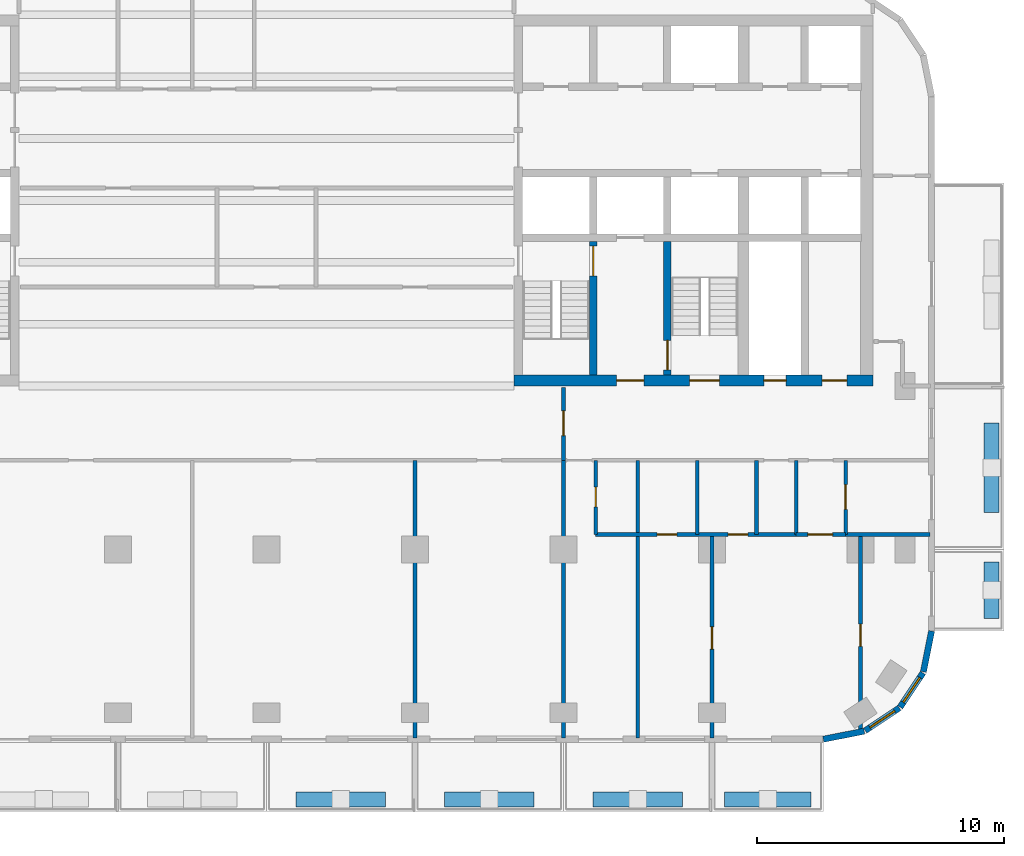
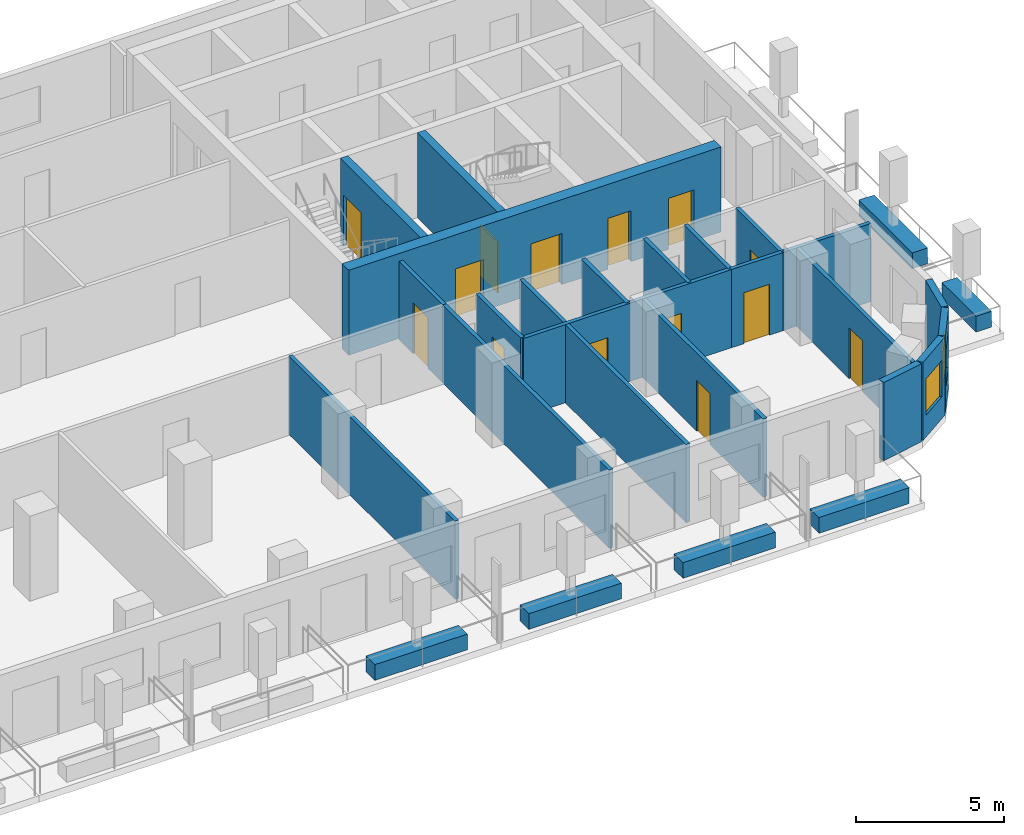
# One storey, part 5 of 11: 27 walls, 14 doors, 2 windows, 16 openings.
"""IFC4 building model written with IfcOpenShell, lengths in metres."""

from ifc_helpers import new_model, si_unit, direction, frame, frame_2d, origin, place, context, subcontext, project, spatial, rectangle, extrude, material, layer, layer_set, type_object, element, fill, save


model = new_model("IFC4")

# Units and contexts
model_context = context("Model", 3, precision=1e-05, world=origin(), true_north=direction((0.0, 1.0)))
body_context = subcontext(model_context, "Body", "Model", "MODEL_VIEW")
ifc_project = project(units=[si_unit("LENGTHUNIT", "METRE"), si_unit("AREAUNIT", "SQUARE_METRE"), si_unit("VOLUMEUNIT", "CUBIC_METRE"), si_unit("PLANEANGLEUNIT", "RADIAN"), si_unit("MASSUNIT", "GRAM", prefix="KILO")], contexts=[model_context])

# Site, building, storey
site_placement = place(None, origin())
site = spatial("IfcSite", under=ifc_project, at=site_placement, CompositionType="ELEMENT")
building_placement = place(site_placement, origin())
building = spatial("IfcBuilding", under=site, at=building_placement, Name="Torana Hotel and Residences", CompositionType="ELEMENT")
storey_placement = place(building_placement, frame((0.0, 0.0, 232.60009765625)))
storey = spatial("IfcBuildingStorey", under=building, at=storey_placement, Name="L61", CompositionType="ELEMENT", Elevation=232.60009765625)

# Wall, opening, door
ifc_material_1 = material(Name="Concrete C70/85", Category="concrete")
ifc_layer_1 = layer(ifc_material_1, 0.300048828125)
ifc_layer_set_1 = layer_set([ifc_layer_1], Name="CORE WALL 300 C70/85")
wall_type_1 = type_object("IfcWallType", Name="CORE WALL 300 C70/85", PredefinedType="SHEAR", material=ifc_layer_set_1)
wall_1_placement = place(storey_placement, frame((13.199951171875, -14.550048828125, 0.0), z_axis=(0.0, 0.0, 1.0), x_axis=(0.0, 1.0, 0.0)))
wall_1 = element("IfcWall", 1, at=wall_1_placement, inside=storey, type_object=wall_type_1, Name="Core wall E x3.05-band", PredefinedType="SHEAR", context=body_context, shape_type="SweptSolid", body=[
    extrude(rectangle(XDim=5.400146484375, YDim=0.300048828125, at=frame_2d((2.7001953125, 0.0))), origin(), (0.0, 0.0, 1.0), 3.5),
])
opening_1_placement = place(wall_1_placement, frame((4.0, 0.0, 0.0)))
opening_1 = element("IfcOpeningElement", 2, at=opening_1_placement, cuts=wall_1, Name="Opening L61-25", PredefinedType="OPENING", context=body_context, shape_type="SweptSolid", body=[
    extrude(rectangle(XDim=1.199951171875, YDim=2.10009765625, at=frame_2d((0.60009765625, 1.050048828125))), frame((0.0, 0.159912109375, 0.0), z_axis=(0.0, -1.0, 0.0), x_axis=(1.0, 0.0, 0.0)), (0.0, 0.0, 1.0), 0.320068359375),
])
ifc_material_2 = material(Name="Steel S235", Category="steel")
door_type_1 = type_object("IfcDoorType", Name="STAIR FIRE DOOR D3 1200x2100", OperationType="SINGLE_SWING_LEFT", PredefinedType="DOOR", material=ifc_material_2)
door_1_placement = place(opening_1_placement, origin())
door_1 = element("IfcDoor", 3, at=door_1_placement, inside=storey, type_object=door_type_1, Name="Stair-A-lobby door L61", OperationType="SINGLE_SWING_LEFT", OverallHeight=2.10009765625, OverallWidth=1.199951171875, PredefinedType="DOOR", context=body_context, shape_type="SweptSolid", body=[
    extrude(rectangle(XDim=1.199951171875, YDim=2.10009765625, at=frame_2d((0.60009765625, 1.050048828125))), frame((0.0, 0.02490234375, 0.0), z_axis=(0.0, -1.0, 0.0), x_axis=(1.0, 0.0, 0.0)), (0.0, 0.0, 1.0), 0.050048828125),
])
fill(opening_1, door_1)

wall_2_placement = place(storey_placement, frame((16.199951171875, -14.550048828125, 0.0), z_axis=(0.0, 0.0, 1.0), x_axis=(0.0, 1.0, 0.0)))
wall_2 = element("IfcWall", 4, at=wall_2_placement, inside=storey, type_object=wall_type_1, Name="Core wall E x6.05-band", PredefinedType="SHEAR", context=body_context, shape_type="SweptSolid", body=[
    extrude(rectangle(XDim=5.400146484375, YDim=0.300048828125, at=frame_2d((2.7001953125, 0.0))), origin(), (0.0, 0.0, 1.0), 3.5),
])
opening_2_placement = place(wall_2_placement, frame((0.199951171875, 0.0, 0.0)))
opening_2 = element("IfcOpeningElement", 5, at=opening_2_placement, cuts=wall_2, Name="Opening L61-26", PredefinedType="OPENING", context=body_context, shape_type="SweptSolid", body=[
    extrude(rectangle(XDim=1.199951171875, YDim=2.10009765625, at=frame_2d((0.60009765625, 1.050048828125))), frame((0.0, 0.159912109375, 0.0), z_axis=(0.0, -1.0, 0.0), x_axis=(1.0, 0.0, 0.0)), (0.0, 0.0, 1.0), 0.320068359375),
])
door_2_placement = place(opening_2_placement, frame((0.60009765625, 0.0, 0.0), z_axis=(0.0, 0.0, 1.0), x_axis=(-1.0, 0.0, 0.0)))
door_2 = element("IfcDoor", 6, at=door_2_placement, inside=storey, type_object=door_type_1, Name="Stair-B-lobby door L61", OperationType="SINGLE_SWING_LEFT", OverallHeight=2.10009765625, OverallWidth=1.199951171875, PredefinedType="DOOR", context=body_context, shape_type="SweptSolid", body=[
    extrude(rectangle(XDim=1.199951171875, YDim=2.10009765625, at=frame_2d((0.0, 1.050048828125))), frame((0.0, -0.02490234375, 0.0), z_axis=(0.0, 1.0, 0.0), x_axis=(-1.0, 0.0, 0.0)), (0.0, 0.0, 1.0), 0.050048828125),
])
fill(opening_2, door_2)

# Wall, openings, doors
ifc_material_3 = material(Name="Concrete C70/85", Category="concrete")
ifc_layer_2 = layer(ifc_material_3, 0.449951171875)
ifc_layer_set_2 = layer_set([ifc_layer_2], Name="CORE WALL 450 C70/85")
wall_type_2 = type_object("IfcWallType", Name="CORE WALL 450 C70/85", PredefinedType="SHEAR", material=ifc_layer_set_2)
wall_3_placement = place(storey_placement, frame((10.0, -14.77490234375, 0.0), z_axis=(0.0, 0.0, 1.0), x_axis=(1.0, 0.0, 0.0)))
wall_3 = element("IfcWall", 7, at=wall_3_placement, inside=storey, type_object=wall_type_2, Name="Core wall E front", PredefinedType="SHEAR", context=body_context, shape_type="SweptSolid", body=[
    extrude(rectangle(XDim=14.5, YDim=0.449951171875, at=frame_2d((7.25, 0.0))), origin(), (0.0, 0.0, 1.0), 3.5),
])
opening_3_placement = place(wall_3_placement, frame((7.10009765625, 0.0, 0.0)))
opening_3 = element("IfcOpeningElement", 8, at=opening_3_placement, cuts=wall_3, Name="Opening L61-17", PredefinedType="OPENING", context=body_context, shape_type="SweptSolid", body=[
    extrude(rectangle(XDim=1.199951171875, YDim=2.10009765625, at=frame_2d((0.60009765625, 1.050048828125))), frame((0.0, 0.23486328125, 0.0), z_axis=(0.0, -1.0, 0.0), x_axis=(1.0, 0.0, 0.0)), (0.0, 0.0, 1.0), 0.469970703125),
])
opening_4_placement = place(wall_3_placement, frame((4.14990234375, 0.0, 0.0)))
opening_4 = element("IfcOpeningElement", 9, at=opening_4_placement, cuts=wall_3, Name="Opening L61-18", PredefinedType="OPENING", context=body_context, shape_type="SweptSolid", body=[
    extrude(rectangle(XDim=1.10009765625, YDim=2.10009765625, at=frame_2d((0.550048828125, 1.050048828125))), frame((0.0, 0.23486328125, 0.0), z_axis=(0.0, -1.0, 0.0), x_axis=(1.0, 0.0, 0.0)), (0.0, 0.0, 1.0), 0.469970703125),
])
opening_5_placement = place(wall_3_placement, frame((10.10009765625, 0.0, 0.0)))
opening_5 = element("IfcOpeningElement", 10, at=opening_5_placement, cuts=wall_3, Name="Opening L61-19", PredefinedType="OPENING", context=body_context, shape_type="SweptSolid", body=[
    extrude(rectangle(XDim=0.89990234375, YDim=2.10009765625, at=frame_2d((0.449951171875, 1.050048828125))), frame((0.0, 0.23486328125, 0.0), z_axis=(0.0, -1.0, 0.0), x_axis=(1.0, 0.0, 0.0)), (0.0, 0.0, 1.0), 0.469970703125),
])
opening_6_placement = place(wall_3_placement, frame((12.449951171875, 0.0, 0.0)))
opening_6 = element("IfcOpeningElement", 11, at=opening_6_placement, cuts=wall_3, Name="Opening L61-20", PredefinedType="OPENING", context=body_context, shape_type="SweptSolid", body=[
    extrude(rectangle(XDim=1.0, YDim=2.10009765625, at=frame_2d((0.5, 1.050048828125))), frame((0.0, 0.23486328125, 0.0), z_axis=(0.0, -1.0, 0.0), x_axis=(1.0, 0.0, 0.0)), (0.0, 0.0, 1.0), 0.469970703125),
])
ifc_material_4 = material(Name="Steel S235", Category="steel")
door_type_2 = type_object("IfcDoorType", Name="CORE ROOM FIRE DOOR D14 1000x2100", OperationType="SINGLE_SWING_LEFT", PredefinedType="DOOR", material=ifc_material_4)
door_3_placement = place(opening_6_placement, origin())
door_3 = element("IfcDoor", 12, at=door_3_placement, inside=storey, type_object=door_type_2, Name="M-Room door L61", OperationType="SINGLE_SWING_RIGHT", OverallHeight=2.10009765625, OverallWidth=1.0, PredefinedType="DOOR", context=body_context, shape_type="SweptSolid", body=[
    extrude(rectangle(XDim=1.0, YDim=2.10009765625, at=frame_2d((0.5, 1.050048828125))), frame((0.0, 0.02490234375, 0.0), z_axis=(0.0, -1.0, 0.0), x_axis=(1.0, 0.0, 0.0)), (0.0, 0.0, 1.0), 0.050048828125),
])
fill(opening_6, door_3)
ifc_material_5 = material(Name="Steel S235", Category="steel")
door_type_3 = type_object("IfcDoorType", Name="FIRE-FIGHTING LOBBY DOOR D8 1100x2100", OperationType="SINGLE_SWING_LEFT", PredefinedType="DOOR", material=ifc_material_5)
door_4_placement = place(opening_4_placement, origin())
door_4 = element("IfcDoor", 13, at=door_4_placement, inside=storey, type_object=door_type_3, Name="FF-lobby door L61", OperationType="SINGLE_SWING_RIGHT", OverallHeight=2.10009765625, OverallWidth=1.10009765625, PredefinedType="DOOR", context=body_context, shape_type="SweptSolid", body=[
    extrude(rectangle(XDim=1.10009765625, YDim=2.10009765625, at=frame_2d((0.550048828125, 1.050048828125))), frame((0.0, 0.02490234375, 0.0), z_axis=(0.0, -1.0, 0.0), x_axis=(1.0, 0.0, 0.0)), (0.0, 0.0, 1.0), 0.050048828125),
])
fill(opening_4, door_4)
ifc_material_6 = material(Name="Steel S235", Category="steel")
door_type_4 = type_object("IfcDoorType", Name="RISER ACCESS DOOR D5 900x2100", OperationType="SINGLE_SWING_LEFT", PredefinedType="DOOR", material=ifc_material_6)
door_5_placement = place(opening_5_placement, origin())
door_5 = element("IfcDoor", 14, at=door_5_placement, inside=storey, type_object=door_type_4, Name="M-Riser door L61", OperationType="SINGLE_SWING_RIGHT", OverallHeight=2.10009765625, OverallWidth=0.89990234375, PredefinedType="DOOR", context=body_context, shape_type="SweptSolid", body=[
    extrude(rectangle(XDim=0.89990234375, YDim=2.10009765625, at=frame_2d((0.449951171875, 1.050048828125))), frame((0.0, 0.02490234375, 0.0), z_axis=(0.0, -1.0, 0.0), x_axis=(1.0, 0.0, 0.0)), (0.0, 0.0, 1.0), 0.050048828125),
])
fill(opening_5, door_5)
door_6_placement = place(opening_3_placement, origin())
door_6 = element("IfcDoor", 15, at=door_6_placement, inside=storey, type_object=door_type_1, Name="Stair-B door L61", OperationType="SINGLE_SWING_RIGHT", OverallHeight=2.10009765625, OverallWidth=1.199951171875, PredefinedType="DOOR", context=body_context, shape_type="SweptSolid", body=[
    extrude(rectangle(XDim=1.199951171875, YDim=2.10009765625, at=frame_2d((0.60009765625, 1.050048828125))), frame((0.0, 0.02490234375, 0.0), z_axis=(0.0, -1.0, 0.0), x_axis=(1.0, 0.0, 0.0)), (0.0, 0.0, 1.0), 0.050048828125),
])
fill(opening_3, door_6)

# Wall
ifc_material_7 = material(Name="Black aluminium composite panel", Category="aluminium")
ifc_layer_3 = layer(ifc_material_7, 0.00390625, Name="Cladding", Category="cladding")
ifc_material_8 = material(Name="Ventilated air cavity")
ifc_layer_4 = layer(ifc_material_8, 0.0400390625, Name="Ventilated cavity", Category="cavity")
ifc_material_9 = material(Name="Mineral wool insulation")
ifc_layer_5 = layer(ifc_material_9, 0.090087890625, Name="Insulation", Category="insulation")
ifc_material_10 = material(Name="Steel S280GD", Category="steel")
ifc_layer_6 = layer(ifc_material_10, 0.092041015625, Name="Steel stud frame", Category="structure")
ifc_material_11 = material(Name="Fire rated plasterboard")
ifc_layer_7 = layer(ifc_material_11, 0.011962890625, Name="Inner board", Category="finish")
ifc_layer_8 = layer(ifc_material_11, 0.011962890625, Name="Second board", Category="finish")
ifc_layer_set_3 = layer_set([ifc_layer_3, ifc_layer_4, ifc_layer_5, ifc_layer_6, ifc_layer_7, ifc_layer_8], Name="EW1 EXTERNAL WALL BLACK METAL CLAD 250")
wall_type_3 = type_object("IfcWallType", Name="EW1 EXTERNAL WALL BLACK METAL CLAD 250", PredefinedType="SOLIDWALL", material=ifc_layer_set_3)
wall_4_placement = place(storey_placement, frame((22.499755859375, -29.272705078125, 0.0), z_axis=(0.0, 0.0, 1.0), x_axis=(0.980775640221, 0.19513878023, 0.0)))
element("IfcWall", 16, at=wall_4_placement, inside=storey, type_object=wall_type_3, Name="External wall L61 e0.15", PredefinedType="SOLIDWALL", context=body_context, shape_type="SweptSolid", body=[
    extrude(rectangle(XDim=1.681396484375, YDim=0.25, at=frame_2d((0.8408203125, 0.0))), origin(), (0.0, 0.0, 1.0), 3.219970703125),
])

# Wall, opening, window
wall_5_placement = place(storey_placement, frame((24.194091796875, -28.92578125, 0.0), z_axis=(0.0, 0.0, 1.0), x_axis=(0.831482937015, 0.55555029066, 0.0)))
wall_5 = element("IfcWall", 17, at=wall_5_placement, inside=storey, type_object=wall_type_3, Name="External wall L61 e0.16", PredefinedType="SOLIDWALL", context=body_context, shape_type="SweptSolid", body=[
    extrude(rectangle(XDim=1.65625, YDim=0.25, at=frame_2d((0.828125, 0.0))), origin(), (0.0, 0.0, 1.0), 3.219970703125),
])
opening_7_placement = place(wall_5_placement, frame((0.228271484375, 0.0, 0.89990234375)))
opening_7 = element("IfcOpeningElement", 18, at=opening_7_placement, cuts=wall_5, Name="Opening W5", PredefinedType="OPENING", context=body_context, shape_type="SweptSolid", body=[
    extrude(rectangle(XDim=1.199951171875, YDim=1.5, at=frame_2d((0.60009765625, 0.75))), frame((0.0, 0.135009765625, 0.0), z_axis=(0.0, -1.0, 0.0), x_axis=(1.0, 0.0, 0.0)), (0.0, 0.0, 1.0), 0.27001953125),
])
ifc_material_12 = material(Name="Dark glass in black aluminium frame", Category="aluminium")
window_type = type_object("IfcWindowType", Name="W5 CORNER FACET WINDOW 1200x1500", PartitioningType="SINGLE_PANEL", PredefinedType="WINDOW", material=ifc_material_12)
window_1_placement = place(opening_7_placement, origin())
window_1 = element("IfcWindow", 19, at=window_1_placement, inside=storey, type_object=window_type, Name="Window L61 e0.16", OverallHeight=1.5, OverallWidth=1.199951171875, PartitioningType="SINGLE_PANEL", PredefinedType="WINDOW", context=body_context, shape_type="SweptSolid", body=[
    extrude(rectangle(XDim=1.199951171875, YDim=1.5, at=frame_2d((0.60009765625, 0.75))), frame((0.0, 0.030029296875, 0.0), z_axis=(0.0, -1.0, 0.0), x_axis=(1.0, 0.0, 0.0)), (0.0, 0.0, 1.0), 0.06005859375),
])
fill(opening_7, window_1)

wall_6_placement = place(storey_placement, frame((25.605712890625, -27.97119140625, 0.0), z_axis=(0.0, 0.0, 1.0), x_axis=(0.55555029066, 0.831482937015, 0.0)))
wall_6 = element("IfcWall", 20, at=wall_6_placement, inside=storey, type_object=wall_type_3, Name="External wall L61 e0.17", PredefinedType="SOLIDWALL", context=body_context, shape_type="SweptSolid", body=[
    extrude(rectangle(XDim=1.65625, YDim=0.25, at=frame_2d((0.828125, 0.0))), origin(), (0.0, 0.0, 1.0), 3.219970703125),
])
opening_8_placement = place(wall_6_placement, frame((0.228271484375, 0.0, 0.89990234375)))
opening_8 = element("IfcOpeningElement", 21, at=opening_8_placement, cuts=wall_6, Name="Opening W5", PredefinedType="OPENING", context=body_context, shape_type="SweptSolid", body=[
    extrude(rectangle(XDim=1.199951171875, YDim=1.5, at=frame_2d((0.60009765625, 0.75))), frame((0.0, 0.135009765625, 0.0), z_axis=(0.0, -1.0, 0.0), x_axis=(1.0, 0.0, 0.0)), (0.0, 0.0, 1.0), 0.27001953125),
])
window_2_placement = place(opening_8_placement, origin())
window_2 = element("IfcWindow", 22, at=window_2_placement, inside=storey, type_object=window_type, Name="Window L61 e0.17", OverallHeight=1.5, OverallWidth=1.199951171875, PartitioningType="SINGLE_PANEL", PredefinedType="WINDOW", context=body_context, shape_type="SweptSolid", body=[
    extrude(rectangle(XDim=1.199951171875, YDim=1.5, at=frame_2d((0.60009765625, 0.75))), frame((0.0, 0.030029296875, 0.0), z_axis=(0.0, -1.0, 0.0), x_axis=(1.0, 0.0, 0.0)), (0.0, 0.0, 1.0), 0.06005859375),
])
fill(opening_8, window_2)

# Wall
wall_7_placement = place(storey_placement, frame((26.544677734375, -26.548828125, 0.0), z_axis=(0.0, 0.0, 1.0), x_axis=(0.195026884138, 0.980797896849, 0.0)))
element("IfcWall", 23, at=wall_7_placement, inside=storey, type_object=wall_type_3, Name="External wall L61 e0.18", PredefinedType="SOLIDWALL", context=body_context, shape_type="SweptSolid", body=[
    extrude(rectangle(XDim=1.68115234375, YDim=0.25, at=frame_2d((0.840576171875, 0.0))), origin(), (0.0, 0.0, 1.0), 3.219970703125),
])

# Wall, opening, door
ifc_material_13 = material(Name="Gypsum plaster")
ifc_layer_9 = layer(ifc_material_13, 0.014892578125, Name="Plaster", Category="finish")
ifc_material_14 = material(Name="Concrete blockwork", Category="masonry")
ifc_layer_10 = layer(ifc_material_14, 0.1201171875, Name="Blockwork", Category="structure")
ifc_layer_11 = layer(ifc_material_13, 0.014892578125, Name="Plaster", Category="finish")
ifc_layer_set_4 = layer_set([ifc_layer_9, ifc_layer_10, ifc_layer_11], Name="FIRE PARTITION 150 BLOCKWORK")
wall_type_4 = type_object("IfcWallType", Name="FIRE PARTITION 150 BLOCKWORK", PredefinedType="PARTITIONING", material=ifc_layer_set_4)
wall_8_placement = place(storey_placement, frame((23.39990234375, -21.0, 0.0), z_axis=(0.0, 0.0, 1.0), x_axis=(0.0, 1.0, 0.0)))
wall_8 = element("IfcWall", 24, at=wall_8_placement, inside=storey, type_object=wall_type_4, Name="Partition L61", PredefinedType="PARTITIONING", context=body_context, shape_type="SweptSolid", body=[
    extrude(rectangle(XDim=3.0, YDim=0.14990234375, at=frame_2d((1.5, 0.0))), origin(), (0.0, 0.0, 1.0), 3.219970703125),
])
opening_9_placement = place(wall_8_placement, frame((1.02001953125, 0.0, 0.0)))
opening_9 = element("IfcOpeningElement", 25, at=opening_9_placement, cuts=wall_8, Name="Opening L61-56", PredefinedType="OPENING", context=body_context, shape_type="SweptSolid", body=[
    extrude(rectangle(XDim=1.0, YDim=2.10009765625, at=frame_2d((0.5, 1.050048828125))), frame((0.0, 0.0849609375, 0.0), z_axis=(0.0, -1.0, 0.0), x_axis=(1.0, 0.0, 0.0)), (0.0, 0.0, 1.0), 0.169921875),
])
ifc_material_15 = material(Name="Steel S235", Category="steel")
door_type_5 = type_object("IfcDoorType", Name="ENTRY FIRE DOOR D6 1000x2100", OperationType="SINGLE_SWING_LEFT", PredefinedType="DOOR", material=ifc_material_15)
door_7_placement = place(opening_9_placement, frame((0.5, 0.0, 0.0), z_axis=(0.0, 0.0, 1.0), x_axis=(-1.0, 0.0, 0.0)))
door_7 = element("IfcDoor", 26, at=door_7_placement, inside=storey, type_object=door_type_5, Name="Door L61", OperationType="SINGLE_SWING_LEFT", OverallHeight=2.10009765625, OverallWidth=1.0, PredefinedType="DOOR", context=body_context, shape_type="SweptSolid", body=[
    extrude(rectangle(XDim=1.0, YDim=2.10009765625, at=frame_2d((0.0, 1.050048828125))), frame((0.0, -0.02490234375, 0.0), z_axis=(0.0, 1.0, 0.0), x_axis=(-1.0, 0.0, 0.0)), (0.0, 0.0, 1.0), 0.050048828125),
])
fill(opening_9, door_7)

# Wall
wall_9_placement = place(storey_placement, frame((21.39990234375, -21.0, 0.0), z_axis=(0.0, 0.0, 1.0), x_axis=(0.0, 1.0, 0.0)))
element("IfcWall", 27, at=wall_9_placement, inside=storey, type_object=wall_type_4, Name="Partition L61", PredefinedType="PARTITIONING", context=body_context, shape_type="SweptSolid", body=[
    extrude(rectangle(XDim=3.0, YDim=0.14990234375, at=frame_2d((1.5, 0.0))), origin(), (0.0, 0.0, 1.0), 3.219970703125),
])

# Wall, opening, door
wall_10_placement = place(storey_placement, frame((12.0, -18.0, 0.0), z_axis=(0.0, 0.0, 1.0), x_axis=(0.0, 1.0, 0.0)))
wall_10 = element("IfcWall", 28, at=wall_10_placement, inside=storey, type_object=wall_type_4, Name="Partition L61", PredefinedType="PARTITIONING", context=body_context, shape_type="SweptSolid", body=[
    extrude(rectangle(XDim=2.949951171875, YDim=0.14990234375, at=frame_2d((1.47509765625, 0.0))), origin(), (0.0, 0.0, 1.0), 3.219970703125),
])
opening_10_placement = place(wall_10_placement, frame((1.0, 0.0, 0.0)))
opening_10 = element("IfcOpeningElement", 29, at=opening_10_placement, cuts=wall_10, Name="Opening L61-31", PredefinedType="OPENING", context=body_context, shape_type="SweptSolid", body=[
    extrude(rectangle(XDim=1.0, YDim=2.10009765625, at=frame_2d((0.5, 1.050048828125))), frame((0.0, 0.0849609375, 0.0), z_axis=(0.0, -1.0, 0.0), x_axis=(1.0, 0.0, 0.0)), (0.0, 0.0, 1.0), 0.169921875),
])
door_8_placement = place(opening_10_placement, origin())
door_8 = element("IfcDoor", 30, at=door_8_placement, inside=storey, type_object=door_type_5, Name="Door L61", OperationType="SINGLE_SWING_RIGHT", OverallHeight=2.10009765625, OverallWidth=1.0, PredefinedType="DOOR", context=body_context, shape_type="SweptSolid", body=[
    extrude(rectangle(XDim=1.0, YDim=2.10009765625, at=frame_2d((0.5, 1.050048828125))), frame((0.0, 0.02490234375, 0.0), z_axis=(0.0, -1.0, 0.0), x_axis=(1.0, 0.0, 0.0)), (0.0, 0.0, 1.0), 0.050048828125),
])
fill(opening_10, door_8)

wall_11_placement = place(storey_placement, frame((21.39990234375, -21.0, 0.0), z_axis=(0.0, 0.0, 1.0), x_axis=(1.0, 0.0, 0.0)))
wall_11 = element("IfcWall", 31, at=wall_11_placement, inside=storey, type_object=wall_type_4, Name="Partition L61", PredefinedType="PARTITIONING", context=body_context, shape_type="SweptSolid", body=[
    extrude(rectangle(XDim=2.0, YDim=0.14990234375, at=frame_2d((1.0, 0.0))), origin(), (0.0, 0.0, 1.0), 3.219970703125),
])
opening_11_placement = place(wall_11_placement, frame((0.47998046875, 0.0, 0.0)))
opening_11 = element("IfcOpeningElement", 32, at=opening_11_placement, cuts=wall_11, Name="Opening L61-57", PredefinedType="OPENING", context=body_context, shape_type="SweptSolid", body=[
    extrude(rectangle(XDim=1.0, YDim=2.10009765625, at=frame_2d((0.5, 1.050048828125))), frame((0.0, 0.0849609375, 0.0), z_axis=(0.0, -1.0, 0.0), x_axis=(1.0, 0.0, 0.0)), (0.0, 0.0, 1.0), 0.169921875),
])
door_9_placement = place(opening_11_placement, frame((0.5, 0.0, 0.0), z_axis=(0.0, 0.0, 1.0), x_axis=(-1.0, 0.0, 0.0)))
door_9 = element("IfcDoor", 33, at=door_9_placement, inside=storey, type_object=door_type_5, Name="Door L61", OperationType="SINGLE_SWING_RIGHT", OverallHeight=2.10009765625, OverallWidth=1.0, PredefinedType="DOOR", context=body_context, shape_type="SweptSolid", body=[
    extrude(rectangle(XDim=1.0, YDim=2.10009765625, at=frame_2d((0.0, 1.050048828125))), frame((0.0, -0.02490234375, 0.0), z_axis=(0.0, 1.0, 0.0), x_axis=(-1.0, 0.0, 0.0)), (0.0, 0.0, 1.0), 0.050048828125),
])
fill(opening_11, door_9)

ifc_material_16 = material(Name="Gypsum plasterboard")
ifc_layer_12 = layer(ifc_material_16, 0.012451171875, Name="Plasterboard", Category="finish")
ifc_layer_13 = layer(ifc_material_16, 0.012451171875, Name="Plasterboard", Category="finish")
ifc_layer_14 = layer(ifc_material_10, 0.10009765625, Name="Steel studs with mineral wool", Category="insulation")
ifc_layer_15 = layer(ifc_material_16, 0.012451171875, Name="Plasterboard", Category="finish")
ifc_layer_16 = layer(ifc_material_16, 0.012451171875, Name="Plasterboard", Category="finish")
ifc_layer_set_5 = layer_set([ifc_layer_12, ifc_layer_13, ifc_layer_14, ifc_layer_15, ifc_layer_16], Name="PARTITION 150 PLASTERBOARD")
wall_type_5 = type_object("IfcWallType", Name="PARTITION 150 PLASTERBOARD", PredefinedType="PARTITIONING", material=ifc_layer_set_5)
wall_12_placement = place(storey_placement, frame((24.0, -28.918212890625, 0.0), z_axis=(0.0, 0.0, 1.0), x_axis=(0.0, 1.0, 0.0)))
wall_12 = element("IfcWall", 34, at=wall_12_placement, inside=storey, type_object=wall_type_5, Name="Partition L61", PredefinedType="PARTITIONING", context=body_context, shape_type="SweptSolid", body=[
    extrude(rectangle(XDim=7.918212890625, YDim=0.14990234375, at=frame_2d((3.958984375, 0.0))), origin(), (0.0, 0.0, 1.0), 3.219970703125),
])
opening_12_placement = place(wall_12_placement, frame((3.398193359375, 0.0, 0.0)))
opening_12 = element("IfcOpeningElement", 35, at=opening_12_placement, cuts=wall_12, Name="Opening L61-59", PredefinedType="OPENING", context=body_context, shape_type="SweptSolid", body=[
    extrude(rectangle(XDim=0.89990234375, YDim=2.10009765625, at=frame_2d((0.449951171875, 1.050048828125))), frame((0.0, 0.0849609375, 0.0), z_axis=(0.0, -1.0, 0.0), x_axis=(1.0, 0.0, 0.0)), (0.0, 0.0, 1.0), 0.169921875),
])
ifc_material_17 = material(Name="Timber door, oiled ash", Category="wood")
door_type_6 = type_object("IfcDoorType", Name="ROOM DOOR D7 900x2100", OperationType="SINGLE_SWING_LEFT", PredefinedType="DOOR", material=ifc_material_17)
door_10_placement = place(opening_12_placement, origin())
door_10 = element("IfcDoor", 36, at=door_10_placement, inside=storey, type_object=door_type_6, Name="Door L61", OperationType="SINGLE_SWING_RIGHT", OverallHeight=2.10009765625, OverallWidth=0.89990234375, PredefinedType="DOOR", context=body_context, shape_type="SweptSolid", body=[
    extrude(rectangle(XDim=0.89990234375, YDim=2.10009765625, at=frame_2d((0.449951171875, 1.050048828125))), frame((0.0, 0.02490234375, 0.0), z_axis=(0.0, -1.0, 0.0), x_axis=(1.0, 0.0, 0.0)), (0.0, 0.0, 1.0), 0.050048828125),
])
fill(opening_12, door_10)

# Wall
wall_13_placement = place(storey_placement, frame((19.800048828125, -21.0, 0.0), z_axis=(0.0, 0.0, 1.0), x_axis=(0.0, 1.0, 0.0)))
element("IfcWall", 37, at=wall_13_placement, inside=storey, type_object=wall_type_5, Name="Partition L61", PredefinedType="PARTITIONING", context=body_context, shape_type="SweptSolid", body=[
    extrude(rectangle(XDim=3.0, YDim=0.14990234375, at=frame_2d((1.5, 0.0))), origin(), (0.0, 0.0, 1.0), 3.219970703125),
])

# Wall, opening, door
wall_14_placement = place(storey_placement, frame((18.0, -29.219970703125, 0.0), z_axis=(0.0, 0.0, 1.0), x_axis=(0.0, 1.0, 0.0)))
wall_14 = element("IfcWall", 38, at=wall_14_placement, inside=storey, type_object=wall_type_5, Name="Partition L61", PredefinedType="PARTITIONING", context=body_context, shape_type="SweptSolid", body=[
    extrude(rectangle(XDim=8.219970703125, YDim=0.14990234375, at=frame_2d((4.10986328125, 0.0))), origin(), (0.0, 0.0, 1.0), 3.219970703125),
])
opening_13_placement = place(wall_14_placement, frame((3.590087890625, 0.0, 0.0)))
opening_13 = element("IfcOpeningElement", 39, at=opening_13_placement, cuts=wall_14, Name="Opening L61-58", PredefinedType="OPENING", context=body_context, shape_type="SweptSolid", body=[
    extrude(rectangle(XDim=0.89990234375, YDim=2.10009765625, at=frame_2d((0.449951171875, 1.050048828125))), frame((0.0, 0.0849609375, 0.0), z_axis=(0.0, -1.0, 0.0), x_axis=(1.0, 0.0, 0.0)), (0.0, 0.0, 1.0), 0.169921875),
])
door_11_placement = place(opening_13_placement, origin())
door_11 = element("IfcDoor", 40, at=door_11_placement, inside=storey, type_object=door_type_6, Name="Door L61", OperationType="SINGLE_SWING_RIGHT", OverallHeight=2.10009765625, OverallWidth=0.89990234375, PredefinedType="DOOR", context=body_context, shape_type="SweptSolid", body=[
    extrude(rectangle(XDim=0.89990234375, YDim=2.10009765625, at=frame_2d((0.449951171875, 1.050048828125))), frame((0.0, 0.02490234375, 0.0), z_axis=(0.0, -1.0, 0.0), x_axis=(1.0, 0.0, 0.0)), (0.0, 0.0, 1.0), 0.050048828125),
])
fill(opening_13, door_11)

# Walls
wall_15_placement = place(storey_placement, frame((17.39990234375, -21.0, 0.0), z_axis=(0.0, 0.0, 1.0), x_axis=(0.0, 1.0, 0.0)))
element("IfcWall", 41, at=wall_15_placement, inside=storey, type_object=wall_type_5, Name="Partition L61", PredefinedType="PARTITIONING", context=body_context, shape_type="SweptSolid", body=[
    extrude(rectangle(XDim=3.0, YDim=0.14990234375, at=frame_2d((1.5, 0.0))), origin(), (0.0, 0.0, 1.0), 3.219970703125),
])
wall_16_placement = place(storey_placement, frame((15.0, -29.219970703125, 0.0), z_axis=(0.0, 0.0, 1.0), x_axis=(0.0, 1.0, 0.0)))
element("IfcWall", 42, at=wall_16_placement, inside=storey, type_object=wall_type_5, Name="Partition L61", PredefinedType="PARTITIONING", context=body_context, shape_type="SweptSolid", body=[
    extrude(rectangle(XDim=11.219970703125, YDim=0.14990234375, at=frame_2d((5.60986328125, 0.0))), origin(), (0.0, 0.0, 1.0), 3.219970703125),
])

# Wall, opening, door
wall_17_placement = place(storey_placement, frame((13.300048828125, -21.0, 0.0), z_axis=(0.0, 0.0, 1.0), x_axis=(0.0, 1.0, 0.0)))
wall_17 = element("IfcWall", 43, at=wall_17_placement, inside=storey, type_object=wall_type_5, Name="Partition L61", PredefinedType="PARTITIONING", context=body_context, shape_type="SweptSolid", body=[
    extrude(rectangle(XDim=3.0, YDim=0.14990234375, at=frame_2d((1.5, 0.0))), origin(), (0.0, 0.0, 1.0), 3.219970703125),
])
opening_14_placement = place(wall_17_placement, frame((1.1201171875, 0.0, 0.0)))
opening_14 = element("IfcOpeningElement", 44, at=opening_14_placement, cuts=wall_17, Name="Opening L61-47", PredefinedType="OPENING", context=body_context, shape_type="SweptSolid", body=[
    extrude(rectangle(XDim=0.800048828125, YDim=2.10009765625, at=frame_2d((0.39990234375, 1.050048828125))), frame((0.0, 0.0849609375, 0.0), z_axis=(0.0, -1.0, 0.0), x_axis=(1.0, 0.0, 0.0)), (0.0, 0.0, 1.0), 0.169921875),
])
ifc_material_18 = material(Name="Timber door, painted", Category="wood")
door_type_7 = type_object("IfcDoorType", Name="BATH DOOR D13 800x2100", OperationType="SINGLE_SWING_LEFT", PredefinedType="DOOR", material=ifc_material_18)
door_12_placement = place(opening_14_placement, origin())
door_12 = element("IfcDoor", 45, at=door_12_placement, inside=storey, type_object=door_type_7, Name="Door L61", OperationType="SINGLE_SWING_LEFT", OverallHeight=2.10009765625, OverallWidth=0.800048828125, PredefinedType="DOOR", context=body_context, shape_type="SweptSolid", body=[
    extrude(rectangle(XDim=0.800048828125, YDim=2.10009765625, at=frame_2d((0.39990234375, 1.050048828125))), frame((0.0, 0.02490234375, 0.0), z_axis=(0.0, -1.0, 0.0), x_axis=(1.0, 0.0, 0.0)), (0.0, 0.0, 1.0), 0.050048828125),
])
fill(opening_14, door_12)

# Walls
for number, where, z_axis, x_axis, name in (
    (46, (12.0, -29.219970703125, 0.0), (0.0, 0.0, 1.0), (0.0, 1.0, 0.0), "Partition L61"),
    (47, (6.0, -29.219970703125, 0.0), (0.0, 0.0, 1.0), (0.0, 1.0, 0.0), "Partition L61"),
):
    element("IfcWall", number, at=place(storey_placement, frame(where, z_axis=z_axis, x_axis=x_axis)), inside=storey, type_object=wall_type_5, Name=name, PredefinedType="PARTITIONING", context=body_context, shape_type="SweptSolid", body=[
        extrude(rectangle(XDim=11.219970703125, YDim=0.14990234375, at=frame_2d((5.60986328125, 0.0))), origin(), (0.0, 0.0, 1.0), 3.219970703125),
    ])

# Wall, openings, doors
wall_18_placement = place(storey_placement, frame((13.300048828125, -21.0, 0.0), z_axis=(0.0, 0.0, 1.0), x_axis=(1.0, 0.0, 0.0)))
wall_18 = element("IfcWall", 48, at=wall_18_placement, inside=storey, type_object=wall_type_5, Name="Partition L61", PredefinedType="PARTITIONING", context=body_context, shape_type="SweptSolid", body=[
    extrude(rectangle(XDim=8.099853515625, YDim=0.14990234375, at=frame_2d((4.0498046875, 0.0))), origin(), (0.0, 0.0, 1.0), 3.219970703125),
])
opening_15_placement = place(wall_18_placement, frame((2.47998046875, 0.0, 0.0)))
opening_15 = element("IfcOpeningElement", 49, at=opening_15_placement, cuts=wall_18, Name="Opening L61-54", PredefinedType="OPENING", context=body_context, shape_type="SweptSolid", body=[
    extrude(rectangle(XDim=0.800048828125, YDim=2.10009765625, at=frame_2d((0.39990234375, 1.050048828125))), frame((0.0, 0.0849609375, 0.0), z_axis=(0.0, -1.0, 0.0), x_axis=(1.0, 0.0, 0.0)), (0.0, 0.0, 1.0), 0.169921875),
])
opening_16_placement = place(wall_18_placement, frame((5.35009765625, 0.0, 0.0)))
opening_16 = element("IfcOpeningElement", 50, at=opening_16_placement, cuts=wall_18, Name="Opening L61-55", PredefinedType="OPENING", context=body_context, shape_type="SweptSolid", body=[
    extrude(rectangle(XDim=0.800048828125, YDim=2.10009765625, at=frame_2d((0.39990234375, 1.050048828125))), frame((0.0, 0.0849609375, 0.0), z_axis=(0.0, -1.0, 0.0), x_axis=(1.0, 0.0, 0.0)), (0.0, 0.0, 1.0), 0.169921875),
])
door_13_placement = place(opening_15_placement, origin())
door_13 = element("IfcDoor", 51, at=door_13_placement, inside=storey, type_object=door_type_7, Name="Door L61", OperationType="SINGLE_SWING_RIGHT", OverallHeight=2.10009765625, OverallWidth=0.800048828125, PredefinedType="DOOR", context=body_context, shape_type="SweptSolid", body=[
    extrude(rectangle(XDim=0.800048828125, YDim=2.10009765625, at=frame_2d((0.39990234375, 1.050048828125))), frame((0.0, 0.02490234375, 0.0), z_axis=(0.0, -1.0, 0.0), x_axis=(1.0, 0.0, 0.0)), (0.0, 0.0, 1.0), 0.050048828125),
])
fill(opening_15, door_13)
door_14_placement = place(opening_16_placement, origin())
door_14 = element("IfcDoor", 52, at=door_14_placement, inside=storey, type_object=door_type_7, Name="Door L61", OperationType="SINGLE_SWING_LEFT", OverallHeight=2.10009765625, OverallWidth=0.800048828125, PredefinedType="DOOR", context=body_context, shape_type="SweptSolid", body=[
    extrude(rectangle(XDim=0.800048828125, YDim=2.10009765625, at=frame_2d((0.39990234375, 1.050048828125))), frame((0.0, 0.02490234375, 0.0), z_axis=(0.0, -1.0, 0.0), x_axis=(1.0, 0.0, 0.0)), (0.0, 0.0, 1.0), 0.050048828125),
])
fill(opening_16, door_14)

# Walls
wall_19_placement = place(storey_placement, frame((23.39990234375, -21.0, 0.0), z_axis=(0.0, 0.0, 1.0), x_axis=(1.0, 0.0, 0.0)))
element("IfcWall", 53, at=wall_19_placement, inside=storey, type_object=wall_type_5, Name="Partition L61", PredefinedType="PARTITIONING", context=body_context, shape_type="SweptSolid", body=[
    extrude(rectangle(XDim=3.420166015625, YDim=0.14990234375, at=frame_2d((1.7099609375, 0.0))), origin(), (0.0, 0.0, 1.0), 3.219970703125),
])
ifc_material_19 = material(Name="Concrete C40/50 precast", Category="concrete")
ifc_layer_17 = layer(ifc_material_19, 0.10009765625, Name="Planter shell", Category="structure")
ifc_material_20 = material(Name="Root resistant membrane")
ifc_layer_18 = layer(ifc_material_20, 0.00390625, Name="Waterproofing membrane", Category="membrane")
ifc_material_21 = material(Name="Drainage board with filter fleece")
ifc_layer_19 = layer(ifc_material_21, 0.02001953125, Name="Drainage board", Category="drainage")
ifc_material_22 = material(Name="Growing medium")
ifc_layer_20 = layer(ifc_material_22, 0.47607421875, Name="Planting substrate", Category="soil")
ifc_layer_set_6 = layer_set([ifc_layer_17, ifc_layer_18, ifc_layer_19, ifc_layer_20], Name="PL1 BALCONY PLANTER 600")
wall_type_6 = type_object("IfcWallType", Name="PL1 BALCONY PLANTER 600", PredefinedType="USERDEFINED", material=ifc_layer_set_6)
for number, where, z_axis, x_axis, name in (
    (54, (4.800048828125, -31.699951171875, 0.0), (0.0, 0.0, 1.0), (-1.0, 0.0, 0.0), "Planter 05"),
    (55, (10.800048828125, -31.699951171875, 0.0), (0.0, 0.0, 1.0), (-1.0, 0.0, 0.0), "Planter 06"),
    (56, (16.800048828125, -31.699951171875, 0.0), (0.0, 0.0, 1.0), (-1.0, 0.0, 0.0), "Planter 07"),
):
    element("IfcWall", number, at=place(storey_placement, frame(where, z_axis=z_axis, x_axis=x_axis)), inside=storey, type_object=wall_type_6, Name=name, ObjectType="PLANTER", PredefinedType="USERDEFINED", context=body_context, shape_type="SweptSolid", body=[
        extrude(rectangle(XDim=3.60009765625, YDim=0.60009765625, at=frame_2d((1.800048828125, 0.0))), origin(), (0.0, 0.0, 1.0), 0.64990234375),
    ])
wall_20_placement = place(storey_placement, frame((22.0, -31.699951171875, 0.0), z_axis=(0.0, 0.0, 1.0), x_axis=(-1.0, 0.0, 0.0)))
element("IfcWall", 57, at=wall_20_placement, inside=storey, type_object=wall_type_6, Name="Planter 08", ObjectType="PLANTER", PredefinedType="USERDEFINED", context=body_context, shape_type="SweptSolid", body=[
    extrude(rectangle(XDim=3.5, YDim=0.60009765625, at=frame_2d((1.75, 0.0))), origin(), (0.0, 0.0, 1.0), 0.64990234375),
])
wall_21_placement = place(storey_placement, frame((29.300048828125, -22.10009765625, 0.0), z_axis=(0.0, 0.0, 1.0), x_axis=(0.0, -1.0, 0.0)))
element("IfcWall", 58, at=wall_21_placement, inside=storey, type_object=wall_type_6, Name="Planter 12", ObjectType="PLANTER", PredefinedType="USERDEFINED", context=body_context, shape_type="SweptSolid", body=[
    extrude(rectangle(XDim=2.2998046875, YDim=0.60009765625, at=frame_2d((1.14990234375, 0.0))), origin(), (0.0, 0.0, 1.0), 0.64990234375),
])
wall_22_placement = place(storey_placement, frame((29.300048828125, -16.5, 0.0), z_axis=(0.0, 0.0, 1.0), x_axis=(0.0, -1.0, 0.0)))
element("IfcWall", 59, at=wall_22_placement, inside=storey, type_object=wall_type_6, Name="Planter 13", ObjectType="PLANTER", PredefinedType="USERDEFINED", context=body_context, shape_type="SweptSolid", body=[
    extrude(rectangle(XDim=3.60009765625, YDim=0.60009765625, at=frame_2d((1.800048828125, 0.0))), origin(), (0.0, 0.0, 1.0), 0.64990234375),
])

save(model, "model.ifc")
